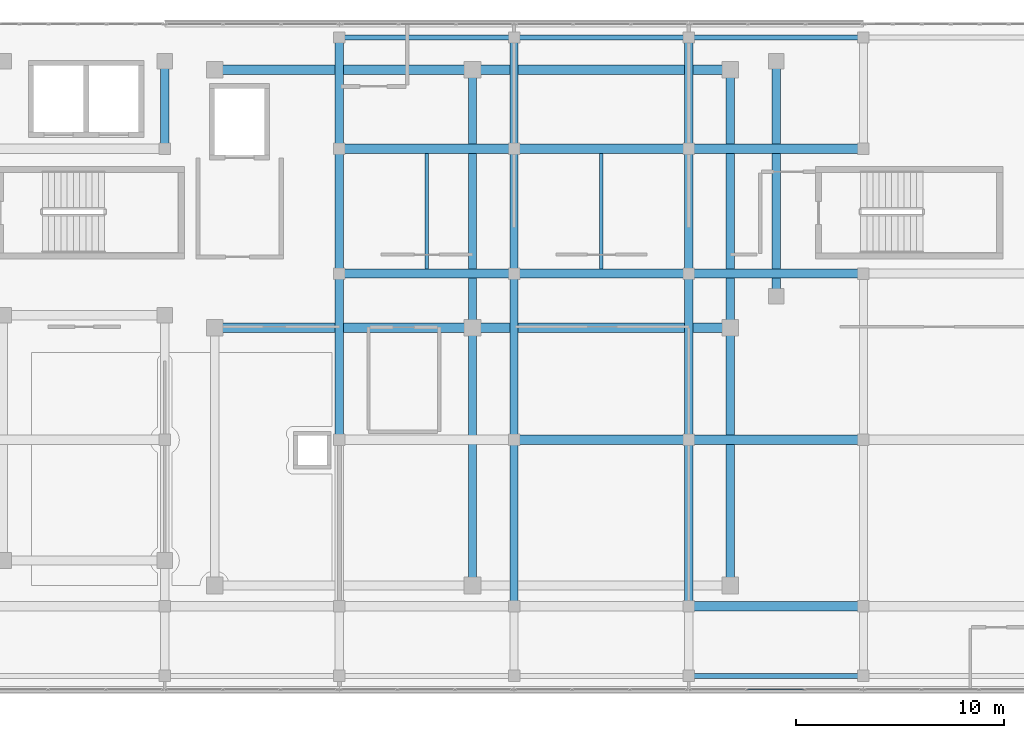
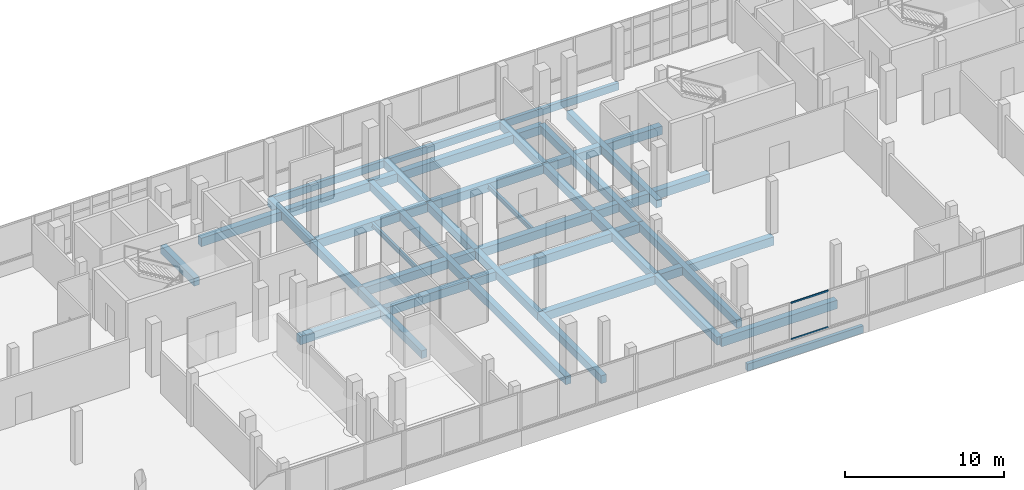
# One storey, part 17 of 66: 36 beams, 2 members, 1 element without a shape of its own.
"""IFC4 building model written with IfcOpenShell, lengths in metres."""

import ifcopenshell
import ifcopenshell.guid

model = None  # the IFC model being written
_history = None  # IfcOwnerHistory: only IFC2X3 demands one
_inside = {}  # id of a spatial element -> (the spatial element, [elements in it])
_under = {}  # id of a project, library or spatial element -> (it, [spatial elements below it])
_declared = {}  # id of a project -> (the project, [libraries it declares])
_typed = {}  # id of a type object -> (the type object, [elements of that type])
_made_of = {}  # id of a material, layer set ... -> (it, [elements and type objects made of it])


def new_model(schema):
    """Start an empty IFC model of exactly this schema.

    Asked for "IFC4X3", IfcOpenShell would pick the latest addendum, in which some entities
    have other attributes; the version numbers below select the first issue.
    IFC2X3 requires an IfcOwnerHistory on every rooted entity: one is made here for all.
    """
    global model, _history
    if schema == "IFC4X3":
        model = ifcopenshell.file(schema_version=(4, 3, 0, 0))
    else:
        model = ifcopenshell.file(schema=schema)
    _inside.clear()
    _under.clear()
    _declared.clear()
    _typed.clear()
    _made_of.clear()
    _history = None
    if model.schema == "IFC2X3":
        org = make("IfcOrganization", Name="unknown")
        user = make(
            "IfcPersonAndOrganization",
            ThePerson=make("IfcPerson", FamilyName="unknown"),
            TheOrganization=org,
        )
        app = make(
            "IfcApplication",
            ApplicationDeveloper=org,
            Version="unknown",
            ApplicationFullName="unknown",
            ApplicationIdentifier="unknown",
        )
        _history = make(
            "IfcOwnerHistory",
            OwningUser=user,
            OwningApplication=app,
            ChangeAction="ADDED",
            CreationDate=0,
        )
    return model


def make(cls, **values):
    """One entity of the class cls with the attributes given. An attribute that is None is left unset."""
    return model.create_entity(
        cls, **{name: value for name, value in values.items() if value is not None}
    )


def rooted(cls, **values):
    """An entity with a GlobalId (a new one), such as an element, a storey or a relation."""
    return make(cls, GlobalId=ifcopenshell.guid.new(), OwnerHistory=_history, **values)


def si_unit(unit_type, name, prefix=None):
    """IfcSIUnit, for example si_unit("LENGTHUNIT", "METRE", prefix="MILLI")."""
    return make("IfcSIUnit", UnitType=unit_type, Prefix=prefix, Name=name)


def assignment(units):
    """IfcUnitAssignment: the units of a project."""
    return None if units is None else make("IfcUnitAssignment", Units=units)


def point(xyz):
    """IfcCartesianPoint."""
    return None if xyz is None else make("IfcCartesianPoint", Coordinates=xyz)


def direction(xyz):
    """IfcDirection."""
    return None if xyz is None else make("IfcDirection", DirectionRatios=xyz)


def frame(location, z_axis=None, x_axis=None):
    """IfcAxis2Placement3D, a coordinate frame: its origin and axes. An axis left out is left unset."""
    return make(
        "IfcAxis2Placement3D",
        Location=point(location),
        Axis=direction(z_axis),
        RefDirection=direction(x_axis),
    )


def frame_2d(location, x_axis=None):
    """IfcAxis2Placement2D, a coordinate frame in the plane: its origin and x axis."""
    return make(
        "IfcAxis2Placement2D", Location=point(location), RefDirection=direction(x_axis)
    )


def origin():
    """The frame at (0, 0, 0) with its axes left unset."""
    return frame((0.0, 0.0, 0.0))


def origin_2d():
    """The frame at (0, 0) in the plane with its x axis left unset."""
    return frame_2d((0.0, 0.0))


def place(relative_to, where):
    """IfcLocalPlacement: puts the frame where relative to a parent placement (None: the world)."""
    return make(
        "IfcLocalPlacement", PlacementRelTo=relative_to, RelativePlacement=where
    )


def context(
    kind, dimensions, precision=None, world=None, true_north=None, identifier=None
):
    """IfcGeometricRepresentationContext, for example the 3D "Model" context."""
    return make(
        "IfcGeometricRepresentationContext",
        ContextIdentifier=identifier,
        ContextType=kind,
        CoordinateSpaceDimension=dimensions,
        Precision=precision,
        WorldCoordinateSystem=world,
        TrueNorth=true_north,
    )


def subcontext(parent, identifier, kind, view, scale=None):
    """IfcGeometricRepresentationSubContext, for example "Body" below "Model"."""
    return make(
        "IfcGeometricRepresentationSubContext",
        ContextIdentifier=identifier,
        ContextType=kind,
        ParentContext=parent,
        TargetScale=scale,
        TargetView=view,
    )


def project(units=None, contexts=None):
    """IfcProject with its units and contexts."""
    return rooted(
        "IfcProject",
        Name="project",
        RepresentationContexts=contexts,
        UnitsInContext=assignment(units),
    )


def spatial(cls, under=None, at=None, **own):
    """A site, building, storey or space (cls), placed at a placement, below another one or the project."""
    s = rooted(cls, ObjectPlacement=at, **own)
    if under is not None:
        _under.setdefault(under.id(), (under, []))[1].append(s)
    return s


def profile(cls, at=None, kind="AREA", **sizes):
    """A parametric profile (cls). Its sizes go by their IFC names, for example OverallWidth=200.0."""
    return make(cls, ProfileType=kind, Position=at, **sizes)


def rectangle(**sizes):
    """IfcRectangleProfileDef."""
    return profile("IfcRectangleProfileDef", **sizes)


def hollow_rectangle(**sizes):
    """IfcRectangleHollowProfileDef."""
    return profile("IfcRectangleHollowProfileDef", **sizes)


def i_section(**sizes):
    """IfcIShapeProfileDef."""
    return profile("IfcIShapeProfileDef", **sizes)


def extrude(swept, where, along, depth):
    """IfcExtrudedAreaSolid: the profile swept, set in the frame where, extruded along a direction by depth."""
    return make(
        "IfcExtrudedAreaSolid",
        SweptArea=swept,
        Position=where,
        ExtrudedDirection=direction(along),
        Depth=depth,
    )


def shape(context_of_items, identifier, shape_type, items):
    """IfcShapeRepresentation: the items that make up one representation, for example the "Body"."""
    return make(
        "IfcShapeRepresentation",
        ContextOfItems=context_of_items,
        RepresentationIdentifier=identifier,
        RepresentationType=shape_type,
        Items=items,
    )


def material(Name=None, Category=None):
    """IfcMaterial."""
    return make("IfcMaterial", Name=Name, Category=Category)


def material_profile(
    of_material, cross_section, Name=None, Category=None, Priority=None
):
    """IfcMaterialProfile: a cross section and its material."""
    return make(
        "IfcMaterialProfile",
        Name=Name,
        Material=of_material,
        Profile=cross_section,
        Priority=Priority,
        Category=Category,
    )


def profile_set(profiles, Name=None, composite=None):
    """IfcMaterialProfileSet."""
    return make(
        "IfcMaterialProfileSet",
        Name=Name,
        MaterialProfiles=profiles,
        CompositeProfile=composite,
    )


def made_of(thing, what):
    """Note that an element or type object is made of a material, layer set ...; save() writes the relation."""
    if what is not None:
        _made_of.setdefault(what.id(), (what, []))[1].append(thing)
    return thing


def type_object(cls, material=None, **own):
    """A type object (cls), such as IfcWallType, which elements share."""
    return made_of(rooted(cls, **own), material)


def element(
    cls,
    number,
    at=None,
    inside=None,
    cuts=None,
    type_object=None,
    material=None,
    context=None,
    identifier="Body",
    shape_type=None,
    held_by="IfcProductDefinitionShape",
    body=None,
    shapes=None,
    **own,
):
    """One element of the class cls, such as IfcWall. Its Tag is "e" and its number.

    at: its placement. inside: the storey or other place that contains it. cuts: it is an
    opening in that element (IfcRelVoidsElement). A single representation is given by context,
    identifier, shape_type and body (its items); several are given by shapes. held_by: the class
    of the entity that holds the representations. save() writes the other relations.
    """
    e = rooted(cls, Tag="e%d" % number, ObjectPlacement=at, **own)
    if body is not None:
        shapes = [shape(context, identifier, shape_type, body)]
    if shapes is not None:
        e.Representation = make(held_by, Representations=shapes)
    if inside is not None:
        _inside.setdefault(inside.id(), (inside, []))[1].append(e)
    if cuts is not None:
        rooted(
            "IfcRelVoidsElement", RelatingBuildingElement=cuts, RelatedOpeningElement=e
        )
    if type_object is not None:
        _typed.setdefault(type_object.id(), (type_object, []))[1].append(e)
    return made_of(e, material)


def aggregate(whole, parts):
    """IfcRelAggregates: a whole, such as a stair, and the parts it consists of."""
    return rooted("IfcRelAggregates", RelatingObject=whole, RelatedObjects=parts)


def save(model, path):
    """Write the relations noted so far, then the file.

    IfcRelAggregates (storeys below a building ...), IfcRelContainedInSpatialStructure (elements
    in a storey), IfcRelDefinesByType, IfcRelAssociatesMaterial and IfcRelDeclares: one each for
    every whole, place, type object, material and project.
    """
    for whole, parts in _under.values():
        aggregate(whole, parts)
    for where, things in _inside.values():
        rooted(
            "IfcRelContainedInSpatialStructure",
            RelatedElements=things,
            RelatingStructure=where,
        )
    for kind, things in _typed.values():
        rooted("IfcRelDefinesByType", RelatedObjects=things, RelatingType=kind)
    for what, things in _made_of.values():
        rooted("IfcRelAssociatesMaterial", RelatedObjects=things, RelatingMaterial=what)
    for by, libraries in _declared.values():
        rooted("IfcRelDeclares", RelatingContext=by, RelatedDefinitions=libraries)
    model.write(path)


model = new_model("IFC4")

# Units and contexts
model_context = context("Model", 3, precision=1e-05, world=origin(), true_north=direction((0.0, 1.0)))
body_context = subcontext(model_context, "Body", "Model", "MODEL_VIEW")
ifc_project = project(units=[si_unit("LENGTHUNIT", "METRE"), si_unit("AREAUNIT", "SQUARE_METRE"), si_unit("VOLUMEUNIT", "CUBIC_METRE"), si_unit("PLANEANGLEUNIT", "RADIAN"), si_unit("MASSUNIT", "GRAM", prefix="KILO")], contexts=[model_context])

# Site, building, storey
site_placement = place(None, origin())
site = spatial("IfcSite", under=ifc_project, at=site_placement, CompositionType="ELEMENT")
building_placement = place(site_placement, origin())
building = spatial("IfcBuilding", under=site, at=building_placement, Name="Selatvlak General Hospital", CompositionType="ELEMENT")
storey_placement = place(building_placement, frame((0.0, 0.0, 31.35009765625)))
storey = spatial("IfcBuildingStorey", under=building, at=storey_placement, Name="L07", CompositionType="ELEMENT", Elevation=31.35009765625)

# Beams
ifc_material_1 = material(Name="Concrete C40/50", Category="concrete")
ifc_material_profile_1 = material_profile(ifc_material_1, rectangle(XDim=0.449951171875, YDim=0.64990234375, at=origin_2d()), Name="RC-BM 450x650")
ifc_profile_set_1 = profile_set([ifc_material_profile_1], Name="Concrete C40/50")
beam_type_1 = type_object("IfcBeamType", Name="BM-G04", PredefinedType="BEAM", material=ifc_profile_set_1)
beam_1_placement = place(storey_placement, frame((81.60009765625, 92.0, -0.59521484375), z_axis=(1.0, 0.0, 0.0), x_axis=(0.0, 1.0, 0.0)))
element("IfcBeam", 1, at=beam_1_placement, inside=storey, type_object=beam_type_1, Name="Beam BMR-L07-2388", PredefinedType="BEAM", context=body_context, shape_type="SweptSolid", body=[
    extrude(rectangle(XDim=0.449951171875, YDim=0.64990234375, at=origin_2d()), origin(), (0.0, 0.0, 1.0), 8.39990234375),
])
beam_2_placement = place(storey_placement, frame((73.199951171875, 100.0, -0.59521484375), z_axis=(1.0, 0.0, 0.0), x_axis=(0.0, 1.0, 0.0)))
element("IfcBeam", 2, at=beam_2_placement, inside=storey, type_object=beam_type_1, Name="Beam BMR-L07-2408", PredefinedType="BEAM", context=body_context, shape_type="SweptSolid", body=[
    extrude(rectangle(XDim=0.449951171875, YDim=0.64990234375, at=origin_2d()), origin(), (0.0, 0.0, 1.0), 8.400146484375),
])
beam_3_placement = place(storey_placement, frame((81.60009765625, 100.0, -0.59521484375), z_axis=(1.0, 0.0, 0.0), x_axis=(0.0, 1.0, 0.0)))
element("IfcBeam", 3, at=beam_3_placement, inside=storey, type_object=beam_type_1, Name="Beam BMR-L07-2409", PredefinedType="BEAM", context=body_context, shape_type="SweptSolid", body=[
    extrude(rectangle(XDim=0.449951171875, YDim=0.64990234375, at=origin_2d()), origin(), (0.0, 0.0, 1.0), 8.39990234375),
])
beam_4_placement = place(storey_placement, frame((58.800048828125, 105.39990234375, -0.59521484375), z_axis=(1.0, 0.0, 0.0), x_axis=(0.0, 1.0, 0.0)))
element("IfcBeam", 4, at=beam_4_placement, inside=storey, type_object=beam_type_1, Name="Beam BMR-L07-2420", PredefinedType="BEAM", context=body_context, shape_type="SweptSolid", body=[
    extrude(rectangle(XDim=0.449951171875, YDim=0.64990234375, at=origin_2d()), origin(), (0.0, 0.0, 1.0), 12.39990234375),
])
beam_5_placement = place(storey_placement, frame((71.199951171875, 105.39990234375, -0.59521484375), z_axis=(1.0, 0.0, 0.0), x_axis=(0.0, 1.0, 0.0)))
element("IfcBeam", 5, at=beam_5_placement, inside=storey, type_object=beam_type_1, Name="Beam BMR-L07-2421", PredefinedType="BEAM", context=body_context, shape_type="SweptSolid", body=[
    extrude(rectangle(XDim=0.449951171875, YDim=0.64990234375, at=origin_2d()), origin(), (0.0, 0.0, 1.0), 12.400146484375),
])
beam_6_placement = place(storey_placement, frame((64.800048828125, 108.0, -0.59521484375), z_axis=(1.0, 0.0, 0.0), x_axis=(0.0, 1.0, 0.0)))
element("IfcBeam", 6, at=beam_6_placement, inside=storey, type_object=beam_type_1, Name="Beam BMR-L07-2427", PredefinedType="BEAM", context=body_context, shape_type="SweptSolid", body=[
    extrude(rectangle(XDim=0.449951171875, YDim=0.64990234375, at=origin_2d()), origin(), (0.0, 0.0, 1.0), 8.39990234375),
])
beam_7_placement = place(storey_placement, frame((73.199951171875, 108.0, -0.59521484375), z_axis=(1.0, 0.0, 0.0), x_axis=(0.0, 1.0, 0.0)))
element("IfcBeam", 7, at=beam_7_placement, inside=storey, type_object=beam_type_1, Name="Beam BMR-L07-2428", PredefinedType="BEAM", context=body_context, shape_type="SweptSolid", body=[
    extrude(rectangle(XDim=0.449951171875, YDim=0.64990234375, at=origin_2d()), origin(), (0.0, 0.0, 1.0), 8.400146484375),
])
for number, where, z_axis, x_axis, name in (
    (8, (81.60009765625, 108.0, -0.59521484375), (1.0, 0.0, 0.0), (0.0, 1.0, 0.0), "Beam BMR-L07-2429"),
    (9, (64.800048828125, 114.0, -0.59521484375), (1.0, 0.0, 0.0), (0.0, 1.0, 0.0), "Beam BMR-L07-2440"),
):
    element("IfcBeam", number, at=place(storey_placement, frame(where, z_axis=z_axis, x_axis=x_axis)), inside=storey, type_object=beam_type_1, Name=name, PredefinedType="BEAM", context=body_context, shape_type="SweptSolid", body=[
        extrude(rectangle(XDim=0.449951171875, YDim=0.64990234375, at=origin_2d()), origin(), (0.0, 0.0, 1.0), 8.39990234375),
    ])
beam_8_placement = place(storey_placement, frame((73.199951171875, 114.0, -0.59521484375), z_axis=(1.0, 0.0, 0.0), x_axis=(0.0, 1.0, 0.0)))
element("IfcBeam", 10, at=beam_8_placement, inside=storey, type_object=beam_type_1, Name="Beam BMR-L07-2441", PredefinedType="BEAM", context=body_context, shape_type="SweptSolid", body=[
    extrude(rectangle(XDim=0.449951171875, YDim=0.64990234375, at=origin_2d()), origin(), (0.0, 0.0, 1.0), 8.400146484375),
])
beam_9_placement = place(storey_placement, frame((81.60009765625, 114.0, -0.59521484375), z_axis=(1.0, 0.0, 0.0), x_axis=(0.0, 1.0, 0.0)))
element("IfcBeam", 11, at=beam_9_placement, inside=storey, type_object=beam_type_1, Name="Beam BMR-L07-2442", PredefinedType="BEAM", context=body_context, shape_type="SweptSolid", body=[
    extrude(rectangle(XDim=0.449951171875, YDim=0.64990234375, at=origin_2d()), origin(), (0.0, 0.0, 1.0), 8.39990234375),
])
beam_10_placement = place(storey_placement, frame((58.800048828125, 117.800048828125, -0.59521484375), z_axis=(1.0, 0.0, 0.0), x_axis=(0.0, 1.0, 0.0)))
element("IfcBeam", 12, at=beam_10_placement, inside=storey, type_object=beam_type_1, Name="Beam BMR-L07-2449", PredefinedType="BEAM", context=body_context, shape_type="SweptSolid", body=[
    extrude(rectangle(XDim=0.449951171875, YDim=0.64990234375, at=origin_2d()), origin(), (0.0, 0.0, 1.0), 12.39990234375),
])
beam_11_placement = place(storey_placement, frame((71.199951171875, 117.800048828125, -0.59521484375), z_axis=(1.0, 0.0, 0.0), x_axis=(0.0, 1.0, 0.0)))
element("IfcBeam", 13, at=beam_11_placement, inside=storey, type_object=beam_type_1, Name="Beam BMR-L07-2450", PredefinedType="BEAM", context=body_context, shape_type="SweptSolid", body=[
    extrude(rectangle(XDim=0.449951171875, YDim=0.64990234375, at=origin_2d()), origin(), (0.0, 0.0, 1.0), 12.400146484375),
])
ifc_material_profile_2 = material_profile(ifc_material_1, rectangle(XDim=0.39990234375, YDim=0.60009765625, at=origin_2d()), Name="RC-BM 400x600")
ifc_profile_set_2 = profile_set([ifc_material_profile_2], Name="Concrete C40/50")
beam_type_2 = type_object("IfcBeamType", Name="BM-G05", PredefinedType="BEAM", material=ifc_profile_set_2)
beam_12_placement = place(storey_placement, frame((56.39990234375, 114.0, -0.570068359375), z_axis=(0.0, 1.0, 0.0), x_axis=(-1.0, 0.0, 0.0)))
element("IfcBeam", 14, at=beam_12_placement, inside=storey, type_object=beam_type_2, Name="Beam BMR-L07-2477", PredefinedType="BEAM", context=body_context, shape_type="SweptSolid", body=[
    extrude(rectangle(XDim=0.39990234375, YDim=0.60009765625, at=origin_2d()), origin(), (0.0, 0.0, 1.0), 4.199951171875),
])
beam_13_placement = place(storey_placement, frame((64.800048828125, 100.0, -0.570068359375), z_axis=(0.0, 1.0, 0.0), x_axis=(-1.0, 0.0, 0.0)))
element("IfcBeam", 15, at=beam_13_placement, inside=storey, type_object=beam_type_2, Name="Beam BMR-L07-2481", PredefinedType="BEAM", context=body_context, shape_type="SweptSolid", body=[
    extrude(rectangle(XDim=0.39990234375, YDim=0.60009765625, at=origin_2d()), origin(), (0.0, 0.0, 1.0), 8.0),
])
beam_14_placement = place(storey_placement, frame((64.800048828125, 108.0, -0.570068359375), z_axis=(0.0, 1.0, 0.0), x_axis=(-1.0, 0.0, 0.0)))
element("IfcBeam", 16, at=beam_14_placement, inside=storey, type_object=beam_type_2, Name="Beam BMR-L07-2482", PredefinedType="BEAM", context=body_context, shape_type="SweptSolid", body=[
    extrude(rectangle(XDim=0.39990234375, YDim=0.60009765625, at=origin_2d()), origin(), (0.0, 0.0, 1.0), 6.0),
])
beam_15_placement = place(storey_placement, frame((64.800048828125, 114.0, -0.570068359375), z_axis=(0.0, 1.0, 0.0), x_axis=(-1.0, 0.0, 0.0)))
element("IfcBeam", 17, at=beam_15_placement, inside=storey, type_object=beam_type_2, Name="Beam BMR-L07-2483", PredefinedType="BEAM", context=body_context, shape_type="SweptSolid", body=[
    extrude(rectangle(XDim=0.39990234375, YDim=0.60009765625, at=origin_2d()), origin(), (0.0, 0.0, 1.0), 5.35009765625),
])
beam_16_placement = place(storey_placement, frame((71.199951171875, 93.0, -0.570068359375), z_axis=(0.0, 1.0, 0.0), x_axis=(-1.0, 0.0, 0.0)))
element("IfcBeam", 18, at=beam_16_placement, inside=storey, type_object=beam_type_2, Name="Beam BMR-L07-2484", PredefinedType="BEAM", context=body_context, shape_type="SweptSolid", body=[
    extrude(rectangle(XDim=0.39990234375, YDim=0.60009765625, at=origin_2d()), origin(), (0.0, 0.0, 1.0), 12.39990234375),
])
beam_17_placement = place(storey_placement, frame((71.199951171875, 105.39990234375, -0.570068359375), z_axis=(0.0, 1.0, 0.0), x_axis=(-1.0, 0.0, 0.0)))
element("IfcBeam", 19, at=beam_17_placement, inside=storey, type_object=beam_type_2, Name="Beam BMR-L07-2485", PredefinedType="BEAM", context=body_context, shape_type="SweptSolid", body=[
    extrude(rectangle(XDim=0.39990234375, YDim=0.60009765625, at=origin_2d()), origin(), (0.0, 0.0, 1.0), 12.400146484375),
])
for number, where, z_axis, x_axis, name in (
    (20, (73.199951171875, 92.0, -0.570068359375), (0.0, 1.0, 0.0), (-1.0, 0.0, 0.0), "Beam BMR-L07-2487"),
    (21, (73.199951171875, 100.0, -0.570068359375), (0.0, 1.0, 0.0), (-1.0, 0.0, 0.0), "Beam BMR-L07-2488"),
):
    element("IfcBeam", number, at=place(storey_placement, frame(where, z_axis=z_axis, x_axis=x_axis)), inside=storey, type_object=beam_type_2, Name=name, PredefinedType="BEAM", context=body_context, shape_type="SweptSolid", body=[
        extrude(rectangle(XDim=0.39990234375, YDim=0.60009765625, at=origin_2d()), origin(), (0.0, 0.0, 1.0), 8.0),
    ])
beam_18_placement = place(storey_placement, frame((73.199951171875, 108.0, -0.570068359375), z_axis=(0.0, 1.0, 0.0), x_axis=(-1.0, 0.0, 0.0)))
element("IfcBeam", 22, at=beam_18_placement, inside=storey, type_object=beam_type_2, Name="Beam BMR-L07-2489", PredefinedType="BEAM", context=body_context, shape_type="SweptSolid", body=[
    extrude(rectangle(XDim=0.39990234375, YDim=0.60009765625, at=origin_2d()), origin(), (0.0, 0.0, 1.0), 6.0),
])
beam_19_placement = place(storey_placement, frame((73.199951171875, 114.0, -0.570068359375), z_axis=(0.0, 1.0, 0.0), x_axis=(-1.0, 0.0, 0.0)))
element("IfcBeam", 23, at=beam_19_placement, inside=storey, type_object=beam_type_2, Name="Beam BMR-L07-2490", PredefinedType="BEAM", context=body_context, shape_type="SweptSolid", body=[
    extrude(rectangle(XDim=0.39990234375, YDim=0.60009765625, at=origin_2d()), origin(), (0.0, 0.0, 1.0), 5.35009765625),
])
for number, where, z_axis, x_axis, name in (
    (24, (81.60009765625, 92.0, -0.570068359375), (0.0, 1.0, 0.0), (-1.0, 0.0, 0.0), "Beam BMR-L07-2492"),
    (25, (81.60009765625, 100.0, -0.570068359375), (0.0, 1.0, 0.0), (-1.0, 0.0, 0.0), "Beam BMR-L07-2493"),
):
    element("IfcBeam", number, at=place(storey_placement, frame(where, z_axis=z_axis, x_axis=x_axis)), inside=storey, type_object=beam_type_2, Name=name, PredefinedType="BEAM", context=body_context, shape_type="SweptSolid", body=[
        extrude(rectangle(XDim=0.39990234375, YDim=0.60009765625, at=origin_2d()), origin(), (0.0, 0.0, 1.0), 8.0),
    ])
beam_20_placement = place(storey_placement, frame((81.60009765625, 108.0, -0.570068359375), z_axis=(0.0, 1.0, 0.0), x_axis=(-1.0, 0.0, 0.0)))
element("IfcBeam", 26, at=beam_20_placement, inside=storey, type_object=beam_type_2, Name="Beam BMR-L07-2494", PredefinedType="BEAM", context=body_context, shape_type="SweptSolid", body=[
    extrude(rectangle(XDim=0.39990234375, YDim=0.60009765625, at=origin_2d()), origin(), (0.0, 0.0, 1.0), 6.0),
])
beam_21_placement = place(storey_placement, frame((81.60009765625, 114.0, -0.570068359375), z_axis=(0.0, 1.0, 0.0), x_axis=(-1.0, 0.0, 0.0)))
element("IfcBeam", 27, at=beam_21_placement, inside=storey, type_object=beam_type_2, Name="Beam BMR-L07-2495", PredefinedType="BEAM", context=body_context, shape_type="SweptSolid", body=[
    extrude(rectangle(XDim=0.39990234375, YDim=0.60009765625, at=origin_2d()), origin(), (0.0, 0.0, 1.0), 5.35009765625),
])
beam_22_placement = place(storey_placement, frame((83.60009765625, 93.0, -0.570068359375), z_axis=(0.0, 1.0, 0.0), x_axis=(-1.0, 0.0, 0.0)))
element("IfcBeam", 28, at=beam_22_placement, inside=storey, type_object=beam_type_2, Name="Beam BMR-L07-2496", PredefinedType="BEAM", context=body_context, shape_type="SweptSolid", body=[
    extrude(rectangle(XDim=0.39990234375, YDim=0.60009765625, at=origin_2d()), origin(), (0.0, 0.0, 1.0), 12.39990234375),
])
beam_23_placement = place(storey_placement, frame((83.60009765625, 105.39990234375, -0.570068359375), z_axis=(0.0, 1.0, 0.0), x_axis=(-1.0, 0.0, 0.0)))
element("IfcBeam", 29, at=beam_23_placement, inside=storey, type_object=beam_type_2, Name="Beam BMR-L07-2497", PredefinedType="BEAM", context=body_context, shape_type="SweptSolid", body=[
    extrude(rectangle(XDim=0.39990234375, YDim=0.60009765625, at=origin_2d()), origin(), (0.0, 0.0, 1.0), 12.400146484375),
])
beam_24_placement = place(storey_placement, frame((85.800048828125, 106.89990234375, -0.570068359375), z_axis=(0.0, 1.0, 0.0), x_axis=(-1.0, 0.0, 0.0)))
element("IfcBeam", 30, at=beam_24_placement, inside=storey, type_object=beam_type_2, Name="Beam BMR-L07-2498", PredefinedType="BEAM", context=body_context, shape_type="SweptSolid", body=[
    extrude(rectangle(XDim=0.39990234375, YDim=0.60009765625, at=origin_2d()), origin(), (0.0, 0.0, 1.0), 11.300048828125),
])
ifc_material_2 = material(Name="Steel S355", Category="steel")
ifc_material_profile_3 = material_profile(ifc_material_2, i_section(OverallWidth=0.17138671875, OverallDepth=0.35498046875, WebThickness=0.00732421875, FlangeThickness=0.011474609375, at=origin_2d()), Name="UB 356x171x51")
ifc_profile_set_3 = profile_set([ifc_material_profile_3], Name="Steel S355")
beam_type_3 = type_object("IfcBeamType", Name="BM-J05", PredefinedType="JOIST", material=ifc_profile_set_3)
for number, where, z_axis, x_axis, name in (
    (31, (69.0, 108.22509765625, -0.447998046875), (0.0, 1.0, 0.0), (-1.0, 0.0, 0.0), "Beam BMR-L07-2549"),
    (32, (77.39990234375, 108.22509765625, -0.447998046875), (0.0, 1.0, 0.0), (-1.0, 0.0, 0.0), "Beam BMR-L07-2550"),
):
    element("IfcBeam", number, at=place(storey_placement, frame(where, z_axis=z_axis, x_axis=x_axis)), inside=storey, type_object=beam_type_3, Name=name, PredefinedType="JOIST", context=body_context, shape_type="SweptSolid", body=[
        extrude(i_section(OverallWidth=0.17138671875, OverallDepth=0.35498046875, WebThickness=0.00732421875, FlangeThickness=0.011474609375, at=origin_2d()), origin(), (0.0, 0.0, 1.0), 5.5498046875),
    ])
ifc_material_profile_4 = material_profile(ifc_material_1, rectangle(XDim=0.25, YDim=0.550048828125, at=origin_2d()), Name="RC-SP 250x550")
ifc_profile_set_4 = profile_set([ifc_material_profile_4], Name="Concrete C40/50")
beam_type_4 = type_object("IfcBeamType", Name="BM-SP2", PredefinedType="SPANDREL", material=ifc_profile_set_4)
for number, where, z_axis, x_axis, name in (
    (33, (81.60009765625, 88.64990234375, -0.545166015625), (1.0, 0.0, 0.0), (0.0, 1.0, 0.0), "Beam BMR-L07-2369"),
    (34, (64.800048828125, 119.35009765625, -0.545166015625), (1.0, 0.0, 0.0), (0.0, 1.0, 0.0), "Beam BMR-L07-2452"),
):
    element("IfcBeam", number, at=place(storey_placement, frame(where, z_axis=z_axis, x_axis=x_axis)), inside=storey, type_object=beam_type_4, Name=name, PredefinedType="SPANDREL", context=body_context, shape_type="SweptSolid", body=[
        extrude(rectangle(XDim=0.25, YDim=0.550048828125, at=origin_2d()), origin(), (0.0, 0.0, 1.0), 8.39990234375),
    ])
beam_25_placement = place(storey_placement, frame((73.199951171875, 119.35009765625, -0.545166015625), z_axis=(1.0, 0.0, 0.0), x_axis=(0.0, 1.0, 0.0)))
element("IfcBeam", 35, at=beam_25_placement, inside=storey, type_object=beam_type_4, Name="Beam BMR-L07-2453", PredefinedType="SPANDREL", context=body_context, shape_type="SweptSolid", body=[
    extrude(rectangle(XDim=0.25, YDim=0.550048828125, at=origin_2d()), origin(), (0.0, 0.0, 1.0), 8.400146484375),
])
beam_26_placement = place(storey_placement, frame((81.60009765625, 119.35009765625, -0.545166015625), z_axis=(1.0, 0.0, 0.0), x_axis=(0.0, 1.0, 0.0)))
element("IfcBeam", 36, at=beam_26_placement, inside=storey, type_object=beam_type_4, Name="Beam BMR-L07-2454", PredefinedType="SPANDREL", context=body_context, shape_type="SweptSolid", body=[
    extrude(rectangle(XDim=0.25, YDim=0.550048828125, at=origin_2d()), origin(), (0.0, 0.0, 1.0), 8.39990234375),
])

# Curtain wall, members
ifc_material_3 = material(Name="Solar-control Low-E double glazing", Category="glass")
curtain_wall_type = type_object("IfcCurtainWallType", Name="CW-CW-02", PredefinedType="USERDEFINED", material=ifc_material_3)
curtain_wall_placement = place(storey_placement, origin())
curtain_wall = element("IfcCurtainWall", 37, at=curtain_wall_placement, inside=storey, type_object=curtain_wall_type, Name="Glazed facade curtain wall CW-L07-0672", ObjectType="UNITISED CURTAIN WALL", PredefinedType="USERDEFINED")
ifc_material_4 = material(Name="Dark anodised aluminium mullion", Category="aluminium")
ifc_material_profile_5 = material_profile(ifc_material_4, hollow_rectangle(XDim=0.06494140625, YDim=0.1201171875, WallThickness=0.00390625, at=origin_2d()), Name="AL-TRN 65x120x4")
ifc_profile_set_5 = profile_set([ifc_material_profile_5], Name="Dark anodised aluminium mullion")
member_type = type_object("IfcMemberType", Name="CWT-01", PredefinedType="USERDEFINED", material=ifc_profile_set_5)
member_1_placement = place(storey_placement, frame((87.129150390625, 88.0, 0.972412109375), z_axis=(-1.0, 0.0, 0.0), x_axis=(0.0, -1.0, 0.0)))
member_1 = element("IfcMember", 38, at=member_1_placement, type_object=member_type, Name="CW-02 transom 2.1", ObjectType="TRANSOM", PredefinedType="USERDEFINED", context=body_context, shape_type="SweptSolid", body=[
    extrude(hollow_rectangle(XDim=0.06494140625, YDim=0.1201171875, WallThickness=0.00390625, at=origin_2d()), origin(), (0.0, 0.0, 1.0), 2.708251953125),
])
member_2_placement = place(storey_placement, frame((87.129150390625, 88.0, 3.75244140625), z_axis=(-1.0, 0.0, 0.0), x_axis=(0.0, -1.0, 0.0)))
member_2 = element("IfcMember", 39, at=member_2_placement, type_object=member_type, Name="CW-02 transom 2.2", ObjectType="TRANSOM", PredefinedType="USERDEFINED", context=body_context, shape_type="SweptSolid", body=[
    extrude(hollow_rectangle(XDim=0.06494140625, YDim=0.1201171875, WallThickness=0.00390625, at=origin_2d()), origin(), (0.0, 0.0, 1.0), 2.708251953125),
])
aggregate(curtain_wall, [member_1, member_2])

save(model, "model.ifc")
